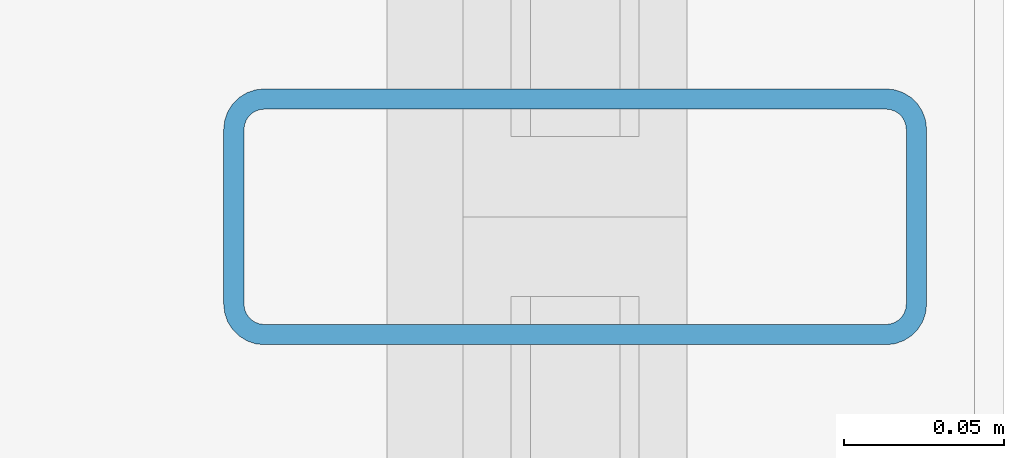
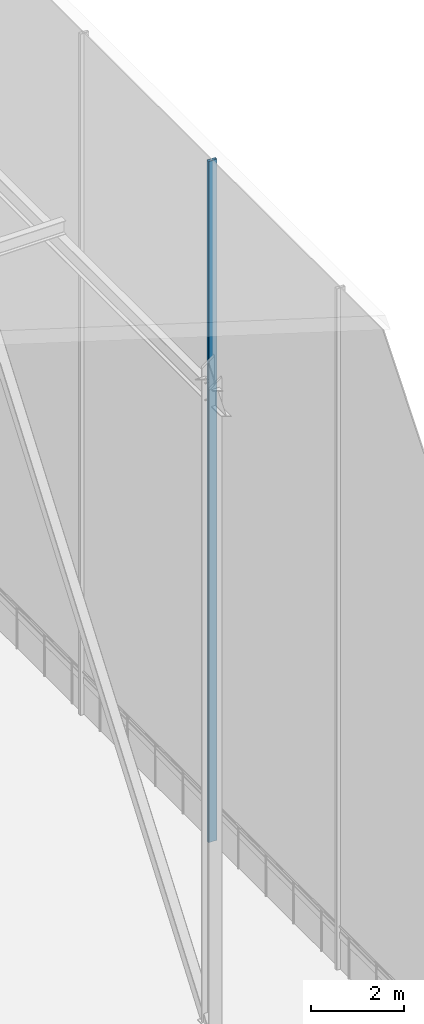
# One storey, part 30 of 39: 1 member, 1 element without a shape of its own.
"""IFC4 building model written with IfcOpenShell, lengths in metres."""

from ifc_helpers import new_model, si_unit, direction, frame, origin, origin_2d, place, context, subcontext, project, spatial, hollow_rectangle, extrude, material, layer, layer_set, material_profile, profile_set, type_object, element, aggregate, save


model = new_model("IFC4")

# Units and contexts
model_context = context("Model", 3, precision=1e-05, world=origin(), true_north=direction((0.0, 1.0)))
body_context = subcontext(model_context, "Body", "Model", "MODEL_VIEW")
ifc_project = project(units=[si_unit("LENGTHUNIT", "METRE"), si_unit("AREAUNIT", "SQUARE_METRE"), si_unit("VOLUMEUNIT", "CUBIC_METRE"), si_unit("PLANEANGLEUNIT", "RADIAN"), si_unit("MASSUNIT", "GRAM", prefix="KILO")], contexts=[model_context])

# Site, building, storey
site_placement = place(None, origin())
site = spatial("IfcSite", under=ifc_project, at=site_placement, CompositionType="ELEMENT")
building_placement = place(site_placement, origin())
building = spatial("IfcBuilding", under=site, at=building_placement, Name="Korimba Cascade Residences", CompositionType="ELEMENT")
storey_placement = place(building_placement, frame((0.0, 0.0, 264.199951171875)))
storey = spatial("IfcBuildingStorey", under=building, at=storey_placement, Name="RF", CompositionType="ELEMENT", Elevation=264.199951171875)

# Curtain wall, member
ifc_material_1 = material(Name="Anodised Aluminium Curtain Wall Framing", Category="aluminium")
ifc_layer = layer(ifc_material_1, 0.179931640625)
ifc_layer_set = layer_set([ifc_layer], Name="Anodised Aluminium Curtain Wall Framing")
curtain_wall_type = type_object("IfcCurtainWallType", Name="CW-CRNW-SYS5", PredefinedType="NOTDEFINED", material=ifc_layer_set)
curtain_wall_placement = place(storey_placement, origin())
curtain_wall = element("IfcCurtainWall", 1, at=curtain_wall_placement, inside=storey, type_object=curtain_wall_type, Name="RF Curtain Wall CW-RF-CRN-E-1", PredefinedType="NOTDEFINED")
ifc_material_2 = material(Name="Anodised Aluminium Mullion", Category="aluminium")
ifc_material_profile = material_profile(ifc_material_2, hollow_rectangle(XDim=0.080078125, YDim=0.219970703125, WallThickness=0.00634765625, InnerFilletRadius=0.00634765625, OuterFilletRadius=0.0126953125, at=origin_2d()), Name="Anodised Aluminium Mullion")
ifc_profile_set = profile_set([ifc_material_profile], Name="Anodised Aluminium Mullion")
member_type = type_object("IfcMemberType", Name="CWM-MUL-220", PredefinedType="MULLION", material=ifc_profile_set)
member_placement = place(storey_placement, frame((131.875, 73.199951171875, 0.0), z_axis=(0.0, 0.0, 1.0), x_axis=(0.0, 1.0, 0.0)))
member = element("IfcMember", 2, at=member_placement, type_object=member_type, Name="CW-RF-CRN-E-1 Mullion 4", PredefinedType="MULLION", context=body_context, shape_type="SweptSolid", body=[
    extrude(hollow_rectangle(XDim=0.080078125, YDim=0.219970703125, WallThickness=0.00634765625, InnerFilletRadius=0.00634765625, OuterFilletRadius=0.0126953125, at=origin_2d()), origin(), (0.0, 0.0, 1.0), 17.945556640625),
])
aggregate(curtain_wall, [member])

save(model, "model.ifc")
